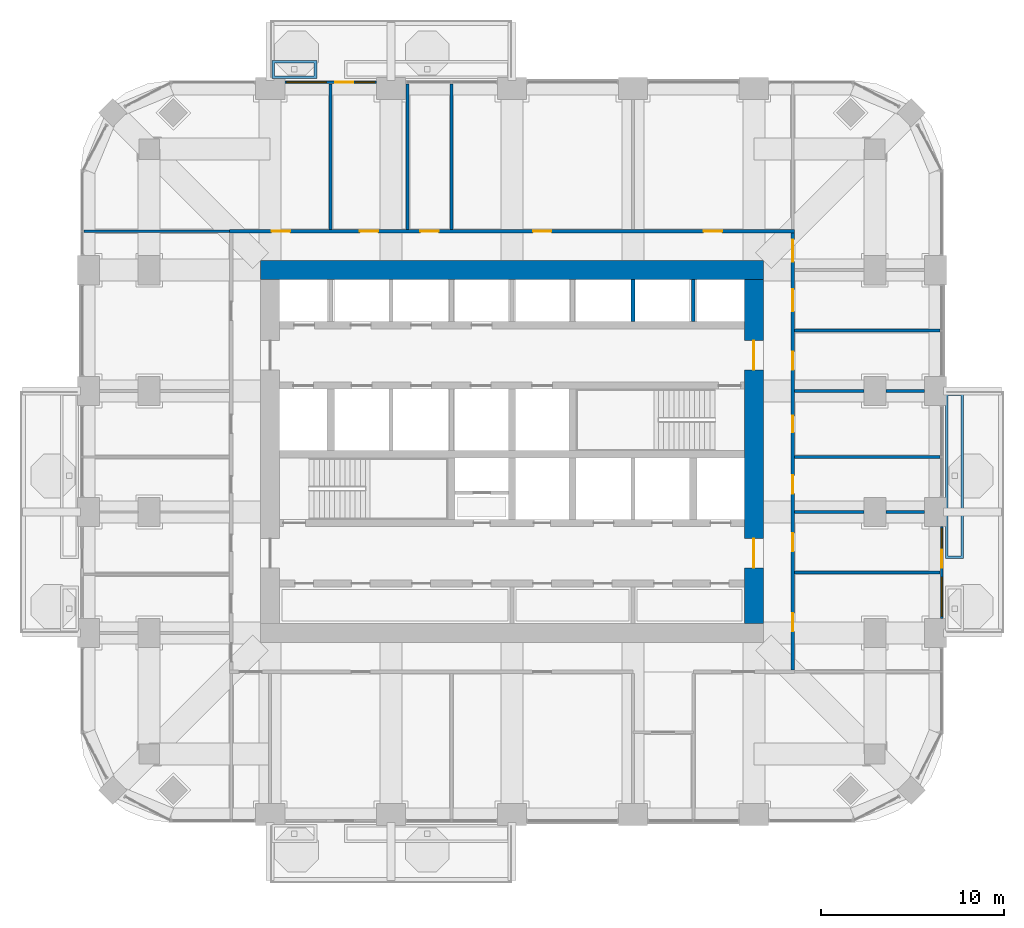
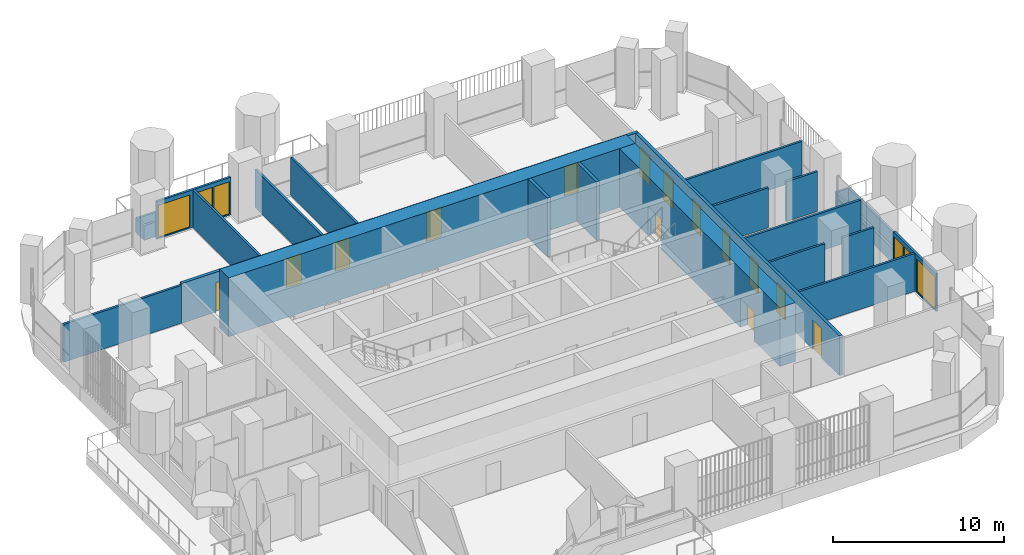
# One storey, part 14 of 20: 21 walls, 16 doors, 4 windows, 20 openings.
"""IFC4 building model written with IfcOpenShell, lengths in metres."""

import ifcopenshell
import ifcopenshell.guid

model = None  # the IFC model being written
_history = None  # IfcOwnerHistory: only IFC2X3 demands one
_inside = {}  # id of a spatial element -> (the spatial element, [elements in it])
_under = {}  # id of a project, library or spatial element -> (it, [spatial elements below it])
_declared = {}  # id of a project -> (the project, [libraries it declares])
_typed = {}  # id of a type object -> (the type object, [elements of that type])
_made_of = {}  # id of a material, layer set ... -> (it, [elements and type objects made of it])


def new_model(schema):
    """Start an empty IFC model of exactly this schema.

    Asked for "IFC4X3", IfcOpenShell would pick the latest addendum, in which some entities
    have other attributes; the version numbers below select the first issue.
    IFC2X3 requires an IfcOwnerHistory on every rooted entity: one is made here for all.
    """
    global model, _history
    if schema == "IFC4X3":
        model = ifcopenshell.file(schema_version=(4, 3, 0, 0))
    else:
        model = ifcopenshell.file(schema=schema)
    _inside.clear()
    _under.clear()
    _declared.clear()
    _typed.clear()
    _made_of.clear()
    _history = None
    if model.schema == "IFC2X3":
        org = make("IfcOrganization", Name="unknown")
        user = make(
            "IfcPersonAndOrganization",
            ThePerson=make("IfcPerson", FamilyName="unknown"),
            TheOrganization=org,
        )
        app = make(
            "IfcApplication",
            ApplicationDeveloper=org,
            Version="unknown",
            ApplicationFullName="unknown",
            ApplicationIdentifier="unknown",
        )
        _history = make(
            "IfcOwnerHistory",
            OwningUser=user,
            OwningApplication=app,
            ChangeAction="ADDED",
            CreationDate=0,
        )
    return model


def make(cls, **values):
    """One entity of the class cls with the attributes given. An attribute that is None is left unset."""
    return model.create_entity(
        cls, **{name: value for name, value in values.items() if value is not None}
    )


def rooted(cls, **values):
    """An entity with a GlobalId (a new one), such as an element, a storey or a relation."""
    return make(cls, GlobalId=ifcopenshell.guid.new(), OwnerHistory=_history, **values)


def si_unit(unit_type, name, prefix=None):
    """IfcSIUnit, for example si_unit("LENGTHUNIT", "METRE", prefix="MILLI")."""
    return make("IfcSIUnit", UnitType=unit_type, Prefix=prefix, Name=name)


def assignment(units):
    """IfcUnitAssignment: the units of a project."""
    return None if units is None else make("IfcUnitAssignment", Units=units)


def point(xyz):
    """IfcCartesianPoint."""
    return None if xyz is None else make("IfcCartesianPoint", Coordinates=xyz)


def direction(xyz):
    """IfcDirection."""
    return None if xyz is None else make("IfcDirection", DirectionRatios=xyz)


def frame(location, z_axis=None, x_axis=None):
    """IfcAxis2Placement3D, a coordinate frame: its origin and axes. An axis left out is left unset."""
    return make(
        "IfcAxis2Placement3D",
        Location=point(location),
        Axis=direction(z_axis),
        RefDirection=direction(x_axis),
    )


def frame_2d(location, x_axis=None):
    """IfcAxis2Placement2D, a coordinate frame in the plane: its origin and x axis."""
    return make(
        "IfcAxis2Placement2D", Location=point(location), RefDirection=direction(x_axis)
    )


def origin():
    """The frame at (0, 0, 0) with its axes left unset."""
    return frame((0.0, 0.0, 0.0))


def place(relative_to, where):
    """IfcLocalPlacement: puts the frame where relative to a parent placement (None: the world)."""
    return make(
        "IfcLocalPlacement", PlacementRelTo=relative_to, RelativePlacement=where
    )


def context(
    kind, dimensions, precision=None, world=None, true_north=None, identifier=None
):
    """IfcGeometricRepresentationContext, for example the 3D "Model" context."""
    return make(
        "IfcGeometricRepresentationContext",
        ContextIdentifier=identifier,
        ContextType=kind,
        CoordinateSpaceDimension=dimensions,
        Precision=precision,
        WorldCoordinateSystem=world,
        TrueNorth=true_north,
    )


def subcontext(parent, identifier, kind, view, scale=None):
    """IfcGeometricRepresentationSubContext, for example "Body" below "Model"."""
    return make(
        "IfcGeometricRepresentationSubContext",
        ContextIdentifier=identifier,
        ContextType=kind,
        ParentContext=parent,
        TargetScale=scale,
        TargetView=view,
    )


def project(units=None, contexts=None):
    """IfcProject with its units and contexts."""
    return rooted(
        "IfcProject",
        Name="project",
        RepresentationContexts=contexts,
        UnitsInContext=assignment(units),
    )


def spatial(cls, under=None, at=None, **own):
    """A site, building, storey or space (cls), placed at a placement, below another one or the project."""
    s = rooted(cls, ObjectPlacement=at, **own)
    if under is not None:
        _under.setdefault(under.id(), (under, []))[1].append(s)
    return s


def polyline(points):
    """IfcPolyline through the points."""
    return make("IfcPolyline", Points=[point(p) for p in points])


def profile(cls, at=None, kind="AREA", **sizes):
    """A parametric profile (cls). Its sizes go by their IFC names, for example OverallWidth=200.0."""
    return make(cls, ProfileType=kind, Position=at, **sizes)


def rectangle(**sizes):
    """IfcRectangleProfileDef."""
    return profile("IfcRectangleProfileDef", **sizes)


def outline(outer, holes=None, kind="AREA"):
    """IfcArbitraryClosedProfileDef: a profile drawn as a closed curve; with holes, ...WithVoids."""
    if holes is None:
        return make("IfcArbitraryClosedProfileDef", ProfileType=kind, OuterCurve=outer)
    return make(
        "IfcArbitraryProfileDefWithVoids",
        ProfileType=kind,
        OuterCurve=outer,
        InnerCurves=holes,
    )


def extrude(swept, where, along, depth):
    """IfcExtrudedAreaSolid: the profile swept, set in the frame where, extruded along a direction by depth."""
    return make(
        "IfcExtrudedAreaSolid",
        SweptArea=swept,
        Position=where,
        ExtrudedDirection=direction(along),
        Depth=depth,
    )


def shape(context_of_items, identifier, shape_type, items):
    """IfcShapeRepresentation: the items that make up one representation, for example the "Body"."""
    return make(
        "IfcShapeRepresentation",
        ContextOfItems=context_of_items,
        RepresentationIdentifier=identifier,
        RepresentationType=shape_type,
        Items=items,
    )


def material(Name=None, Category=None):
    """IfcMaterial."""
    return make("IfcMaterial", Name=Name, Category=Category)


def layer(
    of_material, thickness, ventilated=None, Name=None, Category=None, Priority=None
):
    """IfcMaterialLayer: one layer of a wall or slab, of a material (None: an air gap)."""
    return make(
        "IfcMaterialLayer",
        Material=of_material,
        LayerThickness=thickness,
        IsVentilated=ventilated,
        Name=Name,
        Category=Category,
        Priority=Priority,
    )


def layer_set(layers, Name=None):
    """IfcMaterialLayerSet."""
    return make("IfcMaterialLayerSet", MaterialLayers=layers, LayerSetName=Name)


def made_of(thing, what):
    """Note that an element or type object is made of a material, layer set ...; save() writes the relation."""
    if what is not None:
        _made_of.setdefault(what.id(), (what, []))[1].append(thing)
    return thing


def type_object(cls, material=None, **own):
    """A type object (cls), such as IfcWallType, which elements share."""
    return made_of(rooted(cls, **own), material)


def element(
    cls,
    number,
    at=None,
    inside=None,
    cuts=None,
    type_object=None,
    material=None,
    context=None,
    identifier="Body",
    shape_type=None,
    held_by="IfcProductDefinitionShape",
    body=None,
    shapes=None,
    **own,
):
    """One element of the class cls, such as IfcWall. Its Tag is "e" and its number.

    at: its placement. inside: the storey or other place that contains it. cuts: it is an
    opening in that element (IfcRelVoidsElement). A single representation is given by context,
    identifier, shape_type and body (its items); several are given by shapes. held_by: the class
    of the entity that holds the representations. save() writes the other relations.
    """
    e = rooted(cls, Tag="e%d" % number, ObjectPlacement=at, **own)
    if body is not None:
        shapes = [shape(context, identifier, shape_type, body)]
    if shapes is not None:
        e.Representation = make(held_by, Representations=shapes)
    if inside is not None:
        _inside.setdefault(inside.id(), (inside, []))[1].append(e)
    if cuts is not None:
        rooted(
            "IfcRelVoidsElement", RelatingBuildingElement=cuts, RelatedOpeningElement=e
        )
    if type_object is not None:
        _typed.setdefault(type_object.id(), (type_object, []))[1].append(e)
    return made_of(e, material)


def fill(opening, filler):
    """IfcRelFillsElement: the door or window that sits in an opening."""
    return rooted(
        "IfcRelFillsElement",
        RelatingOpeningElement=opening,
        RelatedBuildingElement=filler,
    )


def aggregate(whole, parts):
    """IfcRelAggregates: a whole, such as a stair, and the parts it consists of."""
    return rooted("IfcRelAggregates", RelatingObject=whole, RelatedObjects=parts)


def save(model, path):
    """Write the relations noted so far, then the file.

    IfcRelAggregates (storeys below a building ...), IfcRelContainedInSpatialStructure (elements
    in a storey), IfcRelDefinesByType, IfcRelAssociatesMaterial and IfcRelDeclares: one each for
    every whole, place, type object, material and project.
    """
    for whole, parts in _under.values():
        aggregate(whole, parts)
    for where, things in _inside.values():
        rooted(
            "IfcRelContainedInSpatialStructure",
            RelatedElements=things,
            RelatingStructure=where,
        )
    for kind, things in _typed.values():
        rooted("IfcRelDefinesByType", RelatedObjects=things, RelatingType=kind)
    for what, things in _made_of.values():
        rooted("IfcRelAssociatesMaterial", RelatedObjects=things, RelatingMaterial=what)
    for by, libraries in _declared.values():
        rooted("IfcRelDeclares", RelatingContext=by, RelatedDefinitions=libraries)
    model.write(path)


model = new_model("IFC4")

# Units and contexts
model_context = context("Model", 3, precision=1e-05, world=origin(), true_north=direction((0.0, 1.0)))
body_context = subcontext(model_context, "Body", "Model", "MODEL_VIEW")
ifc_project = project(units=[si_unit("LENGTHUNIT", "METRE"), si_unit("AREAUNIT", "SQUARE_METRE"), si_unit("VOLUMEUNIT", "CUBIC_METRE"), si_unit("PLANEANGLEUNIT", "RADIAN"), si_unit("MASSUNIT", "GRAM", prefix="KILO")], contexts=[model_context])

# Site, building, storey
site_placement = place(None, origin())
site = spatial("IfcSite", under=ifc_project, at=site_placement, CompositionType="ELEMENT")
building_placement = place(site_placement, origin())
building = spatial("IfcBuilding", under=site, at=building_placement, Name="Cobogo Forest Laboratory Tower", CompositionType="ELEMENT")
storey_placement = place(building_placement, frame((0.0, 0.0, 176.699951171875)))
storey = spatial("IfcBuildingStorey", under=building, at=storey_placement, Name="L40", CompositionType="ELEMENT", Elevation=176.699951171875)

# Wall, openings, doors
ifc_material_1 = material(Name="Concrete HA-50 (C50/60)", Category="concrete")
ifc_layer_1 = layer(ifc_material_1, 1.050048828125)
ifc_layer_set_1 = layer_set([ifc_layer_1], Name="CW1050 core outer wall 1050")
wall_type_1 = type_object("IfcWallType", Name="CW1050 core outer wall 1050", PredefinedType="SHEAR", material=ifc_layer_set_1)
wall_1_placement = place(storey_placement, frame((39.60009765625, 13.72509765625, 0.0), z_axis=(0.0, 0.0, 1.0), x_axis=(0.0, 1.0, 0.0)))
wall_1 = element("IfcWall", 1, at=wall_1_placement, inside=storey, type_object=wall_type_1, Name="Core wall CO-E L40", PredefinedType="SHEAR", context=body_context, shape_type="SweptSolid", body=[
    extrude(rectangle(XDim=18.75, YDim=1.050048828125, at=frame_2d((9.375, 0.0))), origin(), (0.0, 0.0, 1.0), 4.199951171875),
])
opening_1_placement = place(wall_1_placement, frame((3.02490234375, 0.0, 0.0)))
opening_1 = element("IfcOpeningElement", 2, at=opening_1_placement, cuts=wall_1, Name="Opening L40-D21", PredefinedType="OPENING", context=body_context, shape_type="SweptSolid", body=[
    extrude(rectangle(XDim=1.60009765625, YDim=2.10009765625, at=frame_2d((0.800048828125, 1.050048828125))), frame((0.0, 0.534912109375, 0.0), z_axis=(0.0, -1.0, 0.0), x_axis=(1.0, 0.0, 0.0)), (0.0, 0.0, 1.0), 1.070068359375),
])
opening_2_placement = place(wall_1_placement, frame((13.824951171875, 0.0, 0.0)))
opening_2 = element("IfcOpeningElement", 3, at=opening_2_placement, cuts=wall_1, Name="Opening L40-D35", PredefinedType="OPENING", context=body_context, shape_type="SweptSolid", body=[
    extrude(rectangle(XDim=1.60009765625, YDim=2.10009765625, at=frame_2d((0.800048828125, 1.050048828125))), frame((0.0, 0.534912109375, 0.0), z_axis=(0.0, -1.0, 0.0), x_axis=(1.0, 0.0, 0.0)), (0.0, 0.0, 1.0), 1.070068359375),
])
ifc_material_2 = material(Name="Steel fire door", Category="steel")
door_type_1 = type_object("IfcDoorType", Name="DS2 protected lobby door pair 1600 EI2 60", OperationType="DOUBLE_DOOR_DOUBLE_SWING", PredefinedType="DOOR", material=ifc_material_2)
door_1_placement = place(opening_1_placement, origin())
door_1 = element("IfcDoor", 4, at=door_1_placement, inside=storey, type_object=door_type_1, Name="Door L40-CO-E-S", OperationType="DOUBLE_DOOR_DOUBLE_SWING", OverallHeight=2.10009765625, OverallWidth=1.60009765625, PredefinedType="DOOR", context=body_context, shape_type="SweptSolid", body=[
    extrude(rectangle(XDim=1.60009765625, YDim=2.10009765625, at=frame_2d((0.800048828125, 1.050048828125))), frame((0.0, 0.02490234375, 0.0), z_axis=(0.0, -1.0, 0.0), x_axis=(1.0, 0.0, 0.0)), (0.0, 0.0, 1.0), 0.050048828125),
])
fill(opening_1, door_1)
door_2_placement = place(opening_2_placement, origin())
door_2 = element("IfcDoor", 5, at=door_2_placement, inside=storey, type_object=door_type_1, Name="Door L40-CO-E-N", OperationType="DOUBLE_DOOR_DOUBLE_SWING", OverallHeight=2.10009765625, OverallWidth=1.60009765625, PredefinedType="DOOR", context=body_context, shape_type="SweptSolid", body=[
    extrude(rectangle(XDim=1.60009765625, YDim=2.10009765625, at=frame_2d((0.800048828125, 1.050048828125))), frame((0.0, 0.02490234375, 0.0), z_axis=(0.0, -1.0, 0.0), x_axis=(1.0, 0.0, 0.0)), (0.0, 0.0, 1.0), 0.050048828125),
])
fill(opening_2, door_2)

# Wall
wall_2_placement = place(storey_placement, frame((40.125, 33.0, 0.0), z_axis=(0.0, 0.0, 1.0), x_axis=(-1.0, 0.0, 0.0)))
element("IfcWall", 6, at=wall_2_placement, inside=storey, type_object=wall_type_1, Name="Core wall CO-N L40", PredefinedType="SHEAR", context=body_context, shape_type="SweptSolid", body=[
    extrude(rectangle(XDim=27.449951171875, YDim=1.050048828125, at=frame_2d((13.72509765625, 0.0))), origin(), (0.0, 0.0, 1.0), 4.199951171875),
])

# Wall, openings, door, windows
ifc_material_3 = material(Name="Aluminium framed glazed screen", Category="aluminium")
ifc_layer_2 = layer(ifc_material_3, 0.14990234375)
ifc_layer_set_2 = layer_set([ifc_layer_2], Name="GS1 glazed door screen 150")
wall_type_2 = type_object("IfcWallType", Name="GS1 glazed door screen 150", PredefinedType="SOLIDWALL", material=ifc_layer_set_2)
wall_3_placement = place(storey_placement, frame((49.85009765625, 14.0, 0.0), z_axis=(0.0, 0.0, 1.0), x_axis=(0.0, 1.0, 0.0)))
wall_3 = element("IfcWall", 7, at=wall_3_placement, inside=storey, type_object=wall_type_2, Name="Door screen BAL-E1 L40", PredefinedType="SOLIDWALL", context=body_context, shape_type="SweptSolid", body=[
    extrude(rectangle(XDim=5.0, YDim=0.14990234375, at=frame_2d((2.5, 0.0))), origin(), (0.0, 0.0, 1.0), 2.699951171875),
])
opening_3_placement = place(wall_3_placement, frame((2.75, 0.0, 0.0)))
opening_3 = element("IfcOpeningElement", 8, at=opening_3_placement, cuts=wall_3, Name="Opening L40-D19", PredefinedType="OPENING", context=body_context, shape_type="SweptSolid", body=[
    extrude(rectangle(XDim=1.0, YDim=2.39990234375, at=frame_2d((0.5, 1.199951171875))), frame((0.0, 0.0849609375, 0.0), z_axis=(0.0, -1.0, 0.0), x_axis=(1.0, 0.0, 0.0)), (0.0, 0.0, 1.0), 0.169921875),
])
opening_4_placement = place(wall_3_placement, frame((0.10009765625, 0.0, 0.10009765625)))
opening_4 = element("IfcOpeningElement", 9, at=opening_4_placement, cuts=wall_3, Name="Opening L40-W04", PredefinedType="OPENING", context=body_context, shape_type="SweptSolid", body=[
    extrude(rectangle(XDim=2.14990234375, YDim=2.300048828125, at=frame_2d((1.074951171875, 1.14990234375))), frame((0.0, 0.0849609375, 0.0), z_axis=(0.0, -1.0, 0.0), x_axis=(1.0, 0.0, 0.0)), (0.0, 0.0, 1.0), 0.169921875),
])
opening_5_placement = place(wall_3_placement, frame((3.85009765625, 0.0, 0.10009765625)))
opening_5 = element("IfcOpeningElement", 10, at=opening_5_placement, cuts=wall_3, Name="Opening L40-W06", PredefinedType="OPENING", context=body_context, shape_type="SweptSolid", body=[
    extrude(rectangle(XDim=1.050048828125, YDim=2.300048828125, at=frame_2d((0.52490234375, 1.14990234375))), frame((0.0, 0.0849609375, 0.0), z_axis=(0.0, -1.0, 0.0), x_axis=(1.0, 0.0, 0.0)), (0.0, 0.0, 1.0), 0.169921875),
])
ifc_material_4 = material(Name="Aluminium glazed door", Category="aluminium")
door_type_2 = type_object("IfcDoorType", Name="DB1 balcony door 1000 glazed", OperationType="SINGLE_SWING_LEFT", PredefinedType="DOOR", material=ifc_material_4)
door_3_placement = place(opening_3_placement, origin())
door_3 = element("IfcDoor", 11, at=door_3_placement, inside=storey, type_object=door_type_2, Name="Door L40-BAL-E1", OperationType="SINGLE_SWING_RIGHT", OverallHeight=2.39990234375, OverallWidth=1.0, PredefinedType="DOOR", context=body_context, shape_type="SweptSolid", body=[
    extrude(rectangle(XDim=1.0, YDim=2.39990234375, at=frame_2d((0.5, 1.199951171875))), frame((0.0, 0.02490234375, 0.0), z_axis=(0.0, -1.0, 0.0), x_axis=(1.0, 0.0, 0.0)), (0.0, 0.0, 1.0), 0.050048828125),
])
fill(opening_3, door_3)
ifc_material_5 = material(Name="Aluminium framed glazing", Category="aluminium")
window_type_1 = type_object("IfcWindowType", Name="WG13 fixed glazed light 2150x2300", PartitioningType="SINGLE_PANEL", PredefinedType="WINDOW", material=ifc_material_5)
window_1_placement = place(opening_4_placement, origin())
window_1 = element("IfcWindow", 12, at=window_1_placement, inside=storey, type_object=window_type_1, Name="Window L40-BAL-E1-1", OverallHeight=2.300048828125, OverallWidth=2.14990234375, PartitioningType="SINGLE_PANEL", PredefinedType="WINDOW", context=body_context, shape_type="SweptSolid", body=[
    extrude(rectangle(XDim=2.14990234375, YDim=2.300048828125, at=frame_2d((1.074951171875, 1.14990234375))), frame((0.0, 0.030029296875, 0.0), z_axis=(0.0, -1.0, 0.0), x_axis=(1.0, 0.0, 0.0)), (0.0, 0.0, 1.0), 0.06005859375),
])
fill(opening_4, window_1)
window_type_2 = type_object("IfcWindowType", Name="WG14 fixed glazed light 1050x2300", PartitioningType="SINGLE_PANEL", PredefinedType="WINDOW", material=ifc_material_5)
window_2_placement = place(opening_5_placement, origin())
window_2 = element("IfcWindow", 13, at=window_2_placement, inside=storey, type_object=window_type_2, Name="Window L40-BAL-E1-2", OverallHeight=2.300048828125, OverallWidth=1.050048828125, PartitioningType="SINGLE_PANEL", PredefinedType="WINDOW", context=body_context, shape_type="SweptSolid", body=[
    extrude(rectangle(XDim=1.050048828125, YDim=2.300048828125, at=frame_2d((0.52490234375, 1.14990234375))), frame((0.0, 0.030029296875, 0.0), z_axis=(0.0, -1.0, 0.0), x_axis=(1.0, 0.0, 0.0)), (0.0, 0.0, 1.0), 0.06005859375),
])
fill(opening_5, window_2)

wall_4_placement = place(storey_placement, frame((19.0, 43.25, 0.0), z_axis=(0.0, 0.0, 1.0), x_axis=(-1.0, 0.0, 0.0)))
wall_4 = element("IfcWall", 14, at=wall_4_placement, inside=storey, type_object=wall_type_2, Name="Door screen BAL-N1 L40", PredefinedType="SOLIDWALL", context=body_context, shape_type="SweptSolid", body=[
    extrude(rectangle(XDim=5.0, YDim=0.14990234375, at=frame_2d((2.5, 0.0))), origin(), (0.0, 0.0, 1.0), 2.699951171875),
])
opening_6_placement = place(wall_4_placement, frame((1.25, 0.0, 0.0)))
opening_6 = element("IfcOpeningElement", 15, at=opening_6_placement, cuts=wall_4, Name="Opening L40-D44", PredefinedType="OPENING", context=body_context, shape_type="SweptSolid", body=[
    extrude(rectangle(XDim=1.0, YDim=2.39990234375, at=frame_2d((0.5, 1.199951171875))), frame((0.0, 0.0849609375, 0.0), z_axis=(0.0, -1.0, 0.0), x_axis=(1.0, 0.0, 0.0)), (0.0, 0.0, 1.0), 0.169921875),
])
opening_7_placement = place(wall_4_placement, frame((0.10009765625, 0.0, 0.10009765625)))
opening_7 = element("IfcOpeningElement", 16, at=opening_7_placement, cuts=wall_4, Name="Opening L40-W08", PredefinedType="OPENING", context=body_context, shape_type="SweptSolid", body=[
    extrude(rectangle(XDim=1.050048828125, YDim=2.300048828125, at=frame_2d((0.52490234375, 1.14990234375))), frame((0.0, 0.0849609375, 0.0), z_axis=(0.0, -1.0, 0.0), x_axis=(1.0, 0.0, 0.0)), (0.0, 0.0, 1.0), 0.169921875),
])
opening_8_placement = place(wall_4_placement, frame((2.75, 0.0, 0.10009765625)))
opening_8 = element("IfcOpeningElement", 17, at=opening_8_placement, cuts=wall_4, Name="Opening L40-W07", PredefinedType="OPENING", context=body_context, shape_type="SweptSolid", body=[
    extrude(rectangle(XDim=2.14990234375, YDim=2.300048828125, at=frame_2d((1.074951171875, 1.14990234375))), frame((0.0, 0.0849609375, 0.0), z_axis=(0.0, -1.0, 0.0), x_axis=(1.0, 0.0, 0.0)), (0.0, 0.0, 1.0), 0.169921875),
])
door_4_placement = place(opening_6_placement, origin())
door_4 = element("IfcDoor", 18, at=door_4_placement, inside=storey, type_object=door_type_2, Name="Door L40-BAL-N1", OperationType="SINGLE_SWING_LEFT", OverallHeight=2.39990234375, OverallWidth=1.0, PredefinedType="DOOR", context=body_context, shape_type="SweptSolid", body=[
    extrude(rectangle(XDim=1.0, YDim=2.39990234375, at=frame_2d((0.5, 1.199951171875))), frame((0.0, 0.02490234375, 0.0), z_axis=(0.0, -1.0, 0.0), x_axis=(1.0, 0.0, 0.0)), (0.0, 0.0, 1.0), 0.050048828125),
])
fill(opening_6, door_4)
window_3_placement = place(opening_8_placement, origin())
window_3 = element("IfcWindow", 19, at=window_3_placement, inside=storey, type_object=window_type_1, Name="Window L40-BAL-N1-2", OverallHeight=2.300048828125, OverallWidth=2.14990234375, PartitioningType="SINGLE_PANEL", PredefinedType="WINDOW", context=body_context, shape_type="SweptSolid", body=[
    extrude(rectangle(XDim=2.14990234375, YDim=2.300048828125, at=frame_2d((1.074951171875, 1.14990234375))), frame((0.0, 0.030029296875, 0.0), z_axis=(0.0, -1.0, 0.0), x_axis=(1.0, 0.0, 0.0)), (0.0, 0.0, 1.0), 0.06005859375),
])
fill(opening_8, window_3)
window_4_placement = place(opening_7_placement, origin())
window_4 = element("IfcWindow", 20, at=window_4_placement, inside=storey, type_object=window_type_2, Name="Window L40-BAL-N1-1", OverallHeight=2.300048828125, OverallWidth=1.050048828125, PartitioningType="SINGLE_PANEL", PredefinedType="WINDOW", context=body_context, shape_type="SweptSolid", body=[
    extrude(rectangle(XDim=1.050048828125, YDim=2.300048828125, at=frame_2d((0.52490234375, 1.14990234375))), frame((0.0, 0.030029296875, 0.0), z_axis=(0.0, -1.0, 0.0), x_axis=(1.0, 0.0, 0.0)), (0.0, 0.0, 1.0), 0.06005859375),
])
fill(opening_7, window_4)

# Walls
ifc_material_6 = material(Name="Gypsum board on steel studs", Category="steel")
ifc_layer_3 = layer(ifc_material_6, 0.14990234375)
ifc_layer_set_3 = layer_set([ifc_layer_3], Name="PT1 laboratory partition 150")
wall_type_3 = type_object("IfcWallType", Name="PT1 laboratory partition 150", PredefinedType="PARTITIONING", material=ifc_layer_set_3)
for number, where, z_axis, x_axis, name in (
    (21, (3.030029296875, 35.125, 0.0), (0.0, 0.0, 1.0), (1.0, 0.0, 0.0), "Partition PW-NW L40"),
    (22, (49.77001953125, 22.800048828125, 0.0), (0.0, 0.0, 1.0), (-1.0, 0.0, 0.0), "Partition SVC-E1-1 L40"),
):
    element("IfcWall", number, at=place(storey_placement, frame(where, z_axis=z_axis, x_axis=x_axis)), inside=storey, type_object=wall_type_3, Name=name, PredefinedType="PARTITIONING", context=body_context, shape_type="SweptSolid", body=[
        extrude(rectangle(XDim=7.945068359375, YDim=0.14990234375, at=frame_2d((3.97265625, 0.0))), origin(), (0.0, 0.0, 1.0), 2.699951171875),
    ])
wall_5_placement = place(storey_placement, frame((48.89990234375, 26.39990234375, 0.0), z_axis=(0.0, 0.0, 1.0), x_axis=(-1.0, 0.0, 0.0)))
element("IfcWall", 23, at=wall_5_placement, inside=storey, type_object=wall_type_3, Name="Partition SVC-E2-1 L40", PredefinedType="PARTITIONING", context=body_context, shape_type="SweptSolid", body=[
    extrude(rectangle(XDim=2.099853515625, YDim=0.14990234375, at=frame_2d((1.0498046875, 0.0))), origin(), (0.0, 0.0, 1.0), 2.85009765625),
])
wall_6_placement = place(storey_placement, frame((45.60009765625, 26.39990234375, 0.0), z_axis=(0.0, 0.0, 1.0), x_axis=(-1.0, 0.0, 0.0)))
element("IfcWall", 24, at=wall_6_placement, inside=storey, type_object=wall_type_3, Name="Partition SVC-E2-2 L40", PredefinedType="PARTITIONING", context=body_context, shape_type="SweptSolid", body=[
    extrude(rectangle(XDim=3.775146484375, YDim=0.14990234375, at=frame_2d((1.8876953125, 0.0))), origin(), (0.0, 0.0, 1.0), 2.85009765625),
])
wall_7_placement = place(storey_placement, frame((49.77001953125, 16.5, 0.0), z_axis=(0.0, 0.0, 1.0), x_axis=(-1.0, 0.0, 0.0)))
element("IfcWall", 25, at=wall_7_placement, inside=storey, type_object=wall_type_3, Name="Partition CUT-E16.5-1 L40", PredefinedType="PARTITIONING", context=body_context, shape_type="SweptSolid", body=[
    extrude(rectangle(XDim=7.945068359375, YDim=0.14990234375, at=frame_2d((3.97265625, 0.0))), origin(), (0.0, 0.0, 1.0), 2.699951171875),
])
wall_8_placement = place(storey_placement, frame((48.89990234375, 19.800048828125, 0.0), z_axis=(0.0, 0.0, 1.0), x_axis=(-1.0, 0.0, 0.0)))
element("IfcWall", 26, at=wall_8_placement, inside=storey, type_object=wall_type_3, Name="Partition CUT-E19.8-1 L40", PredefinedType="PARTITIONING", context=body_context, shape_type="SweptSolid", body=[
    extrude(rectangle(XDim=2.099853515625, YDim=0.14990234375, at=frame_2d((1.0498046875, 0.0))), origin(), (0.0, 0.0, 1.0), 2.85009765625),
])
wall_9_placement = place(storey_placement, frame((45.60009765625, 19.800048828125, 0.0), z_axis=(0.0, 0.0, 1.0), x_axis=(-1.0, 0.0, 0.0)))
element("IfcWall", 27, at=wall_9_placement, inside=storey, type_object=wall_type_3, Name="Partition CUT-E19.8-2 L40", PredefinedType="PARTITIONING", context=body_context, shape_type="SweptSolid", body=[
    extrude(rectangle(XDim=3.775146484375, YDim=0.14990234375, at=frame_2d((1.8876953125, 0.0))), origin(), (0.0, 0.0, 1.0), 2.85009765625),
])
wall_10_placement = place(storey_placement, frame((49.77001953125, 29.699951171875, 0.0), z_axis=(0.0, 0.0, 1.0), x_axis=(-1.0, 0.0, 0.0)))
element("IfcWall", 28, at=wall_10_placement, inside=storey, type_object=wall_type_3, Name="Partition CUT-E29.7-1 L40", PredefinedType="PARTITIONING", context=body_context, shape_type="SweptSolid", body=[
    extrude(rectangle(XDim=7.945068359375, YDim=0.14990234375, at=frame_2d((3.97265625, 0.0))), origin(), (0.0, 0.0, 1.0), 2.699951171875),
])
for number, where, z_axis, x_axis, name in (
    (29, (20.699951171875, 43.169921875, 0.0), (0.0, 0.0, 1.0), (0.0, -1.0, 0.0), "Partition SVC-N1-1 L40"),
    (30, (23.10009765625, 43.169921875, 0.0), (0.0, 0.0, 1.0), (0.0, -1.0, 0.0), "Partition SVC-N2-1 L40"),
    (31, (16.5, 43.169921875, 0.0), (0.0, 0.0, 1.0), (0.0, -1.0, 0.0), "Partition CUT-N16.5-1 L40"),
):
    element("IfcWall", number, at=place(storey_placement, frame(where, z_axis=z_axis, x_axis=x_axis)), inside=storey, type_object=wall_type_3, Name=name, PredefinedType="PARTITIONING", context=body_context, shape_type="SweptSolid", body=[
        extrude(rectangle(XDim=7.94482421875, YDim=0.14990234375, at=frame_2d((3.972412109375, 0.0))), origin(), (0.0, 0.0, 1.0), 2.699951171875),
    ])

# Wall, openings, doors
ifc_layer_4 = layer(ifc_material_6, 0.199951171875)
ifc_layer_set_4 = layer_set([ifc_layer_4], Name="PT2 fire-rated corridor partition 200")
wall_type_4 = type_object("IfcWallType", Name="PT2 fire-rated corridor partition 200", PredefinedType="PARTITIONING", material=ifc_layer_set_4)
wall_11_placement = place(storey_placement, frame((10.97509765625, 35.125, 0.0), z_axis=(0.0, 0.0, 1.0), x_axis=(1.0, 0.0, 0.0)))
wall_11 = element("IfcWall", 32, at=wall_11_placement, inside=storey, type_object=wall_type_4, Name="Partition CORR-N L40", PredefinedType="PARTITIONING", context=body_context, shape_type="SweptSolid", body=[
    extrude(rectangle(XDim=30.849853515625, YDim=0.199951171875, at=frame_2d((15.4248046875, 0.0))), origin(), (0.0, 0.0, 1.0), 2.85009765625),
])
opening_9_placement = place(wall_11_placement, frame((2.3125, 0.0, 0.0)))
opening_9 = element("IfcOpeningElement", 33, at=opening_9_placement, cuts=wall_11, Name="Opening L40-D39", PredefinedType="OPENING", context=body_context, shape_type="SweptSolid", body=[
    extrude(rectangle(XDim=1.0, YDim=2.10009765625, at=frame_2d((0.5, 1.050048828125))), frame((0.0, 0.10986328125, 0.0), z_axis=(0.0, -1.0, 0.0), x_axis=(1.0, 0.0, 0.0)), (0.0, 0.0, 1.0), 0.219970703125),
])
opening_10_placement = place(wall_11_placement, frame((7.125, 0.0, 0.0)))
opening_10 = element("IfcOpeningElement", 34, at=opening_10_placement, cuts=wall_11, Name="Opening L40-D40", PredefinedType="OPENING", context=body_context, shape_type="SweptSolid", body=[
    extrude(rectangle(XDim=1.0, YDim=2.10009765625, at=frame_2d((0.5, 1.050048828125))), frame((0.0, 0.10986328125, 0.0), z_axis=(0.0, -1.0, 0.0), x_axis=(1.0, 0.0, 0.0)), (0.0, 0.0, 1.0), 0.219970703125),
])
opening_11_placement = place(wall_11_placement, frame((10.425048828125, 0.0, 0.0)))
opening_11 = element("IfcOpeningElement", 35, at=opening_11_placement, cuts=wall_11, Name="Opening L40-D41", PredefinedType="OPENING", context=body_context, shape_type="SweptSolid", body=[
    extrude(rectangle(XDim=1.0, YDim=2.10009765625, at=frame_2d((0.5, 1.050048828125))), frame((0.0, 0.10986328125, 0.0), z_axis=(0.0, -1.0, 0.0), x_axis=(1.0, 0.0, 0.0)), (0.0, 0.0, 1.0), 0.219970703125),
])
opening_12_placement = place(wall_11_placement, frame((16.574951171875, 0.0, 0.0)))
opening_12 = element("IfcOpeningElement", 36, at=opening_12_placement, cuts=wall_11, Name="Opening L40-D42", PredefinedType="OPENING", context=body_context, shape_type="SweptSolid", body=[
    extrude(rectangle(XDim=1.0, YDim=2.10009765625, at=frame_2d((0.5, 1.050048828125))), frame((0.0, 0.10986328125, 0.0), z_axis=(0.0, -1.0, 0.0), x_axis=(1.0, 0.0, 0.0)), (0.0, 0.0, 1.0), 0.219970703125),
])
opening_13_placement = place(wall_11_placement, frame((25.887451171875, 0.0, 0.0)))
opening_13 = element("IfcOpeningElement", 37, at=opening_13_placement, cuts=wall_11, Name="Opening L40-D43", PredefinedType="OPENING", context=body_context, shape_type="SweptSolid", body=[
    extrude(rectangle(XDim=1.0, YDim=2.10009765625, at=frame_2d((0.5, 1.050048828125))), frame((0.0, 0.10986328125, 0.0), z_axis=(0.0, -1.0, 0.0), x_axis=(1.0, 0.0, 0.0)), (0.0, 0.0, 1.0), 0.219970703125),
])
ifc_material_7 = material(Name="Timber fire door", Category="wood")
door_type_3 = type_object("IfcDoorType", Name="FD2 fire door 1000 EI2 30", OperationType="SINGLE_SWING_LEFT", PredefinedType="DOOR", material=ifc_material_7)
door_5_placement = place(opening_9_placement, origin())
door_5 = element("IfcDoor", 38, at=door_5_placement, inside=storey, type_object=door_type_3, Name="Door L40-N1", OperationType="SINGLE_SWING_LEFT", OverallHeight=2.10009765625, OverallWidth=1.0, PredefinedType="DOOR", context=body_context, shape_type="SweptSolid", body=[
    extrude(rectangle(XDim=1.0, YDim=2.10009765625, at=frame_2d((0.5, 1.050048828125))), frame((0.0, 0.02490234375, 0.0), z_axis=(0.0, -1.0, 0.0), x_axis=(1.0, 0.0, 0.0)), (0.0, 0.0, 1.0), 0.050048828125),
])
fill(opening_9, door_5)
door_6_placement = place(opening_10_placement, origin())
door_6 = element("IfcDoor", 39, at=door_6_placement, inside=storey, type_object=door_type_3, Name="Door L40-MTG", OperationType="SINGLE_SWING_LEFT", OverallHeight=2.10009765625, OverallWidth=1.0, PredefinedType="DOOR", context=body_context, shape_type="SweptSolid", body=[
    extrude(rectangle(XDim=1.0, YDim=2.10009765625, at=frame_2d((0.5, 1.050048828125))), frame((0.0, 0.02490234375, 0.0), z_axis=(0.0, -1.0, 0.0), x_axis=(1.0, 0.0, 0.0)), (0.0, 0.0, 1.0), 0.050048828125),
])
fill(opening_10, door_6)
door_7_placement = place(opening_11_placement, origin())
door_7 = element("IfcDoor", 40, at=door_7_placement, inside=storey, type_object=door_type_3, Name="Door L40-PAN", OperationType="SINGLE_SWING_LEFT", OverallHeight=2.10009765625, OverallWidth=1.0, PredefinedType="DOOR", context=body_context, shape_type="SweptSolid", body=[
    extrude(rectangle(XDim=1.0, YDim=2.10009765625, at=frame_2d((0.5, 1.050048828125))), frame((0.0, 0.02490234375, 0.0), z_axis=(0.0, -1.0, 0.0), x_axis=(1.0, 0.0, 0.0)), (0.0, 0.0, 1.0), 0.050048828125),
])
fill(opening_11, door_7)
door_8_placement = place(opening_12_placement, origin())
door_8 = element("IfcDoor", 41, at=door_8_placement, inside=storey, type_object=door_type_3, Name="Door L40-N2", OperationType="SINGLE_SWING_RIGHT", OverallHeight=2.10009765625, OverallWidth=1.0, PredefinedType="DOOR", context=body_context, shape_type="SweptSolid", body=[
    extrude(rectangle(XDim=1.0, YDim=2.10009765625, at=frame_2d((0.5, 1.050048828125))), frame((0.0, 0.02490234375, 0.0), z_axis=(0.0, -1.0, 0.0), x_axis=(1.0, 0.0, 0.0)), (0.0, 0.0, 1.0), 0.050048828125),
])
fill(opening_12, door_8)
door_9_placement = place(opening_13_placement, origin())
door_9 = element("IfcDoor", 42, at=door_9_placement, inside=storey, type_object=door_type_3, Name="Door L40-N3", OperationType="SINGLE_SWING_RIGHT", OverallHeight=2.10009765625, OverallWidth=1.0, PredefinedType="DOOR", context=body_context, shape_type="SweptSolid", body=[
    extrude(rectangle(XDim=1.0, YDim=2.10009765625, at=frame_2d((0.5, 1.050048828125))), frame((0.0, 0.02490234375, 0.0), z_axis=(0.0, -1.0, 0.0), x_axis=(1.0, 0.0, 0.0)), (0.0, 0.0, 1.0), 0.050048828125),
])
fill(opening_13, door_9)

wall_12_placement = place(storey_placement, frame((41.72509765625, 11.175048828125, 0.0), z_axis=(0.0, 0.0, 1.0), x_axis=(0.0, 1.0, 0.0)))
wall_12 = element("IfcWall", 43, at=wall_12_placement, inside=storey, type_object=wall_type_4, Name="Partition CORR-E L40", PredefinedType="PARTITIONING", context=body_context, shape_type="SweptSolid", body=[
    extrude(rectangle(XDim=23.849853515625, YDim=0.199951171875, at=frame_2d((11.9248046875, 0.0))), origin(), (0.0, 0.0, 1.0), 2.85009765625),
])
opening_14_placement = place(wall_12_placement, frame((2.112548828125, 0.0, 0.0)))
opening_14 = element("IfcOpeningElement", 44, at=opening_14_placement, cuts=wall_12, Name="Opening L40-D08", PredefinedType="OPENING", context=body_context, shape_type="SweptSolid", body=[
    extrude(rectangle(XDim=1.0, YDim=2.10009765625, at=frame_2d((0.5, 1.050048828125))), frame((0.0, 0.10986328125, 0.0), z_axis=(0.0, -1.0, 0.0), x_axis=(1.0, 0.0, 0.0)), (0.0, 0.0, 1.0), 0.219970703125),
])
opening_15_placement = place(wall_12_placement, frame((6.47509765625, 0.0, 0.0)))
opening_15 = element("IfcOpeningElement", 45, at=opening_15_placement, cuts=wall_12, Name="Opening L40-D23", PredefinedType="OPENING", context=body_context, shape_type="SweptSolid", body=[
    extrude(rectangle(XDim=1.0, YDim=2.10009765625, at=frame_2d((0.5, 1.050048828125))), frame((0.0, 0.10986328125, 0.0), z_axis=(0.0, -1.0, 0.0), x_axis=(1.0, 0.0, 0.0)), (0.0, 0.0, 1.0), 0.219970703125),
])
opening_16_placement = place(wall_12_placement, frame((9.625, 0.0, 0.0)))
opening_16 = element("IfcOpeningElement", 46, at=opening_16_placement, cuts=wall_12, Name="Opening L40-D29", PredefinedType="OPENING", context=body_context, shape_type="SweptSolid", body=[
    extrude(rectangle(XDim=1.0, YDim=2.10009765625, at=frame_2d((0.5, 1.050048828125))), frame((0.0, 0.10986328125, 0.0), z_axis=(0.0, -1.0, 0.0), x_axis=(1.0, 0.0, 0.0)), (0.0, 0.0, 1.0), 0.219970703125),
])
opening_17_placement = place(wall_12_placement, frame((12.97509765625, 0.0, 0.0)))
opening_17 = element("IfcOpeningElement", 47, at=opening_17_placement, cuts=wall_12, Name="Opening L40-D31", PredefinedType="OPENING", context=body_context, shape_type="SweptSolid", body=[
    extrude(rectangle(XDim=0.89990234375, YDim=2.10009765625, at=frame_2d((0.449951171875, 1.050048828125))), frame((0.0, 0.10986328125, 0.0), z_axis=(0.0, -1.0, 0.0), x_axis=(1.0, 0.0, 0.0)), (0.0, 0.0, 1.0), 0.219970703125),
])
opening_18_placement = place(wall_12_placement, frame((16.375, 0.0, 0.0)))
opening_18 = element("IfcOpeningElement", 48, at=opening_18_placement, cuts=wall_12, Name="Opening L40-D33", PredefinedType="OPENING", context=body_context, shape_type="SweptSolid", body=[
    extrude(rectangle(XDim=1.0, YDim=2.10009765625, at=frame_2d((0.5, 1.050048828125))), frame((0.0, 0.10986328125, 0.0), z_axis=(0.0, -1.0, 0.0), x_axis=(1.0, 0.0, 0.0)), (0.0, 0.0, 1.0), 0.219970703125),
])
opening_19_placement = place(wall_12_placement, frame((19.574951171875, 0.0, 0.0)))
opening_19 = element("IfcOpeningElement", 49, at=opening_19_placement, cuts=wall_12, Name="Opening L40-D37", PredefinedType="OPENING", context=body_context, shape_type="SweptSolid", body=[
    extrude(rectangle(XDim=1.199951171875, YDim=2.10009765625, at=frame_2d((0.60009765625, 1.050048828125))), frame((0.0, 0.10986328125, 0.0), z_axis=(0.0, -1.0, 0.0), x_axis=(1.0, 0.0, 0.0)), (0.0, 0.0, 1.0), 0.219970703125),
])
opening_20_placement = place(wall_12_placement, frame((22.28759765625, 0.0, 0.0)))
opening_20 = element("IfcOpeningElement", 50, at=opening_20_placement, cuts=wall_12, Name="Opening L40-D38", PredefinedType="OPENING", context=body_context, shape_type="SweptSolid", body=[
    extrude(rectangle(XDim=1.199951171875, YDim=2.10009765625, at=frame_2d((0.60009765625, 1.050048828125))), frame((0.0, 0.10986328125, 0.0), z_axis=(0.0, -1.0, 0.0), x_axis=(1.0, 0.0, 0.0)), (0.0, 0.0, 1.0), 0.219970703125),
])
ifc_material_8 = material(Name="Timber door", Category="wood")
door_type_4 = type_object("IfcDoorType", Name="D2 laboratory door 1200 unequal pair", OperationType="DOUBLE_DOOR_SINGLE_SWING", PredefinedType="DOOR", material=ifc_material_8)
door_10_placement = place(opening_19_placement, origin())
door_10 = element("IfcDoor", 51, at=door_10_placement, inside=storey, type_object=door_type_4, Name="Door L40-E4", OperationType="DOUBLE_DOOR_SINGLE_SWING", OverallHeight=2.10009765625, OverallWidth=1.199951171875, PredefinedType="DOOR", context=body_context, shape_type="SweptSolid", body=[
    extrude(rectangle(XDim=1.199951171875, YDim=2.10009765625, at=frame_2d((0.60009765625, 1.050048828125))), frame((0.0, 0.02490234375, 0.0), z_axis=(0.0, -1.0, 0.0), x_axis=(1.0, 0.0, 0.0)), (0.0, 0.0, 1.0), 0.050048828125),
])
fill(opening_19, door_10)
door_11_placement = place(opening_20_placement, origin())
door_11 = element("IfcDoor", 52, at=door_11_placement, inside=storey, type_object=door_type_4, Name="Door L40-E5", OperationType="DOUBLE_DOOR_SINGLE_SWING", OverallHeight=2.10009765625, OverallWidth=1.199951171875, PredefinedType="DOOR", context=body_context, shape_type="SweptSolid", body=[
    extrude(rectangle(XDim=1.199951171875, YDim=2.10009765625, at=frame_2d((0.60009765625, 1.050048828125))), frame((0.0, 0.02490234375, 0.0), z_axis=(0.0, -1.0, 0.0), x_axis=(1.0, 0.0, 0.0)), (0.0, 0.0, 1.0), 0.050048828125),
])
fill(opening_20, door_11)
door_type_5 = type_object("IfcDoorType", Name="FD1 fire door 1000 EI2 60", OperationType="SINGLE_SWING_LEFT", PredefinedType="DOOR", material=ifc_material_2)
door_12_placement = place(opening_16_placement, origin())
door_12 = element("IfcDoor", 53, at=door_12_placement, inside=storey, type_object=door_type_5, Name="Door L40-ELEC", OperationType="SINGLE_SWING_LEFT", OverallHeight=2.10009765625, OverallWidth=1.0, PredefinedType="DOOR", context=body_context, shape_type="SweptSolid", body=[
    extrude(rectangle(XDim=1.0, YDim=2.10009765625, at=frame_2d((0.5, 1.050048828125))), frame((0.0, 0.02490234375, 0.0), z_axis=(0.0, -1.0, 0.0), x_axis=(1.0, 0.0, 0.0)), (0.0, 0.0, 1.0), 0.050048828125),
])
fill(opening_16, door_12)
door_13_placement = place(opening_14_placement, origin())
door_13 = element("IfcDoor", 54, at=door_13_placement, inside=storey, type_object=door_type_3, Name="Door L40-E1", OperationType="SINGLE_SWING_LEFT", OverallHeight=2.10009765625, OverallWidth=1.0, PredefinedType="DOOR", context=body_context, shape_type="SweptSolid", body=[
    extrude(rectangle(XDim=1.0, YDim=2.10009765625, at=frame_2d((0.5, 1.050048828125))), frame((0.0, 0.02490234375, 0.0), z_axis=(0.0, -1.0, 0.0), x_axis=(1.0, 0.0, 0.0)), (0.0, 0.0, 1.0), 0.050048828125),
])
fill(opening_14, door_13)
door_14_placement = place(opening_15_placement, origin())
door_14 = element("IfcDoor", 55, at=door_14_placement, inside=storey, type_object=door_type_3, Name="Door L40-E2", OperationType="SINGLE_SWING_LEFT", OverallHeight=2.10009765625, OverallWidth=1.0, PredefinedType="DOOR", context=body_context, shape_type="SweptSolid", body=[
    extrude(rectangle(XDim=1.0, YDim=2.10009765625, at=frame_2d((0.5, 1.050048828125))), frame((0.0, 0.02490234375, 0.0), z_axis=(0.0, -1.0, 0.0), x_axis=(1.0, 0.0, 0.0)), (0.0, 0.0, 1.0), 0.050048828125),
])
fill(opening_15, door_14)
door_15_placement = place(opening_18_placement, origin())
door_15 = element("IfcDoor", 56, at=door_15_placement, inside=storey, type_object=door_type_3, Name="Door L40-E3", OperationType="SINGLE_SWING_RIGHT", OverallHeight=2.10009765625, OverallWidth=1.0, PredefinedType="DOOR", context=body_context, shape_type="SweptSolid", body=[
    extrude(rectangle(XDim=1.0, YDim=2.10009765625, at=frame_2d((0.5, 1.050048828125))), frame((0.0, 0.02490234375, 0.0), z_axis=(0.0, -1.0, 0.0), x_axis=(1.0, 0.0, 0.0)), (0.0, 0.0, 1.0), 0.050048828125),
])
fill(opening_18, door_15)
door_type_6 = type_object("IfcDoorType", Name="FD4 riser access door 900 EI2 60", OperationType="SINGLE_SWING_LEFT", PredefinedType="DOOR", material=ifc_material_2)
door_16_placement = place(opening_17_placement, origin())
door_16 = element("IfcDoor", 57, at=door_16_placement, inside=storey, type_object=door_type_6, Name="Door L40-COMMS", OperationType="SINGLE_SWING_RIGHT", OverallHeight=2.10009765625, OverallWidth=0.89990234375, PredefinedType="DOOR", context=body_context, shape_type="SweptSolid", body=[
    extrude(rectangle(XDim=0.89990234375, YDim=2.10009765625, at=frame_2d((0.449951171875, 1.050048828125))), frame((0.0, 0.02490234375, 0.0), z_axis=(0.0, -1.0, 0.0), x_axis=(1.0, 0.0, 0.0)), (0.0, 0.0, 1.0), 0.050048828125),
])
fill(opening_17, door_16)

# Walls
ifc_material_9 = material(Name="Concrete HA-40 (C40/50)", Category="concrete")
ifc_layer_5 = layer(ifc_material_9, 0.14990234375)
ifc_layer_set_5 = layer_set([ifc_layer_5], Name="Planter box 1000x1050")
wall_type_5 = type_object("IfcWallType", Name="Planter box 1000x1050", PredefinedType="USERDEFINED", material=ifc_layer_set_5)
wall_13_placement = place(storey_placement, origin())
element("IfcWall", 58, at=wall_13_placement, inside=storey, type_object=wall_type_5, Name="Planter BAL-E1-2 L40", ObjectType="PLANTER", PredefinedType="USERDEFINED", context=body_context, shape_type="SweptSolid", body=[
    extrude(outline(polyline([(50.050048828125, 17.25), (51.050048828125, 17.25), (51.050048828125, 26.300048828125), (50.050048828125, 26.300048828125), (50.050048828125, 17.25)]), holes=[polyline([(50.199951171875, 17.39990234375), (50.89990234375, 17.39990234375), (50.89990234375, 26.14990234375), (50.199951171875, 26.14990234375), (50.199951171875, 17.39990234375)])]), origin(), (0.0, 0.0, 1.0), 1.050048828125),
])
wall_14_placement = place(storey_placement, origin())
element("IfcWall", 59, at=wall_14_placement, inside=storey, type_object=wall_type_5, Name="Planter BAL-N1-1 L40", ObjectType="PLANTER", PredefinedType="USERDEFINED", context=body_context, shape_type="SweptSolid", body=[
    extrude(outline(polyline([(13.300048828125, 43.449951171875), (15.75, 43.449951171875), (15.75, 44.449951171875), (13.300048828125, 44.449951171875), (13.300048828125, 43.449951171875)]), holes=[polyline([(13.449951171875, 43.60009765625), (15.60009765625, 43.60009765625), (15.60009765625, 44.300048828125), (13.449951171875, 44.300048828125), (13.449951171875, 43.60009765625)])]), origin(), (0.0, 0.0, 1.0), 1.050048828125),
])
ifc_material_10 = material(Name="Concrete block", Category="concrete")
ifc_layer_6 = layer(ifc_material_10, 0.199951171875)
ifc_layer_set_6 = layer_set([ifc_layer_6], Name="SW200 lift shaft separator 200")
wall_type_6 = type_object("IfcWallType", Name="SW200 lift shaft separator 200", PredefinedType="PARTITIONING", material=ifc_layer_set_6)
for number, where, z_axis, x_axis, name in (
    (60, (33.0, 30.199951171875, 0.0), (0.0, 0.0, 1.0), (0.0, 1.0, 0.0), "Core wall SEP-N6 L40"),
    (61, (36.300048828125, 30.199951171875, 0.0), (0.0, 0.0, 1.0), (0.0, 1.0, 0.0), "Core wall SEP-N7 L40"),
):
    element("IfcWall", number, at=place(storey_placement, frame(where, z_axis=z_axis, x_axis=x_axis)), inside=storey, type_object=wall_type_6, Name=name, PredefinedType="PARTITIONING", context=body_context, shape_type="SweptSolid", body=[
        extrude(rectangle(XDim=2.275146484375, YDim=0.199951171875, at=frame_2d((1.1376953125, 0.0))), origin(), (0.0, 0.0, 1.0), 4.199951171875),
    ])

save(model, "model.ifc")
